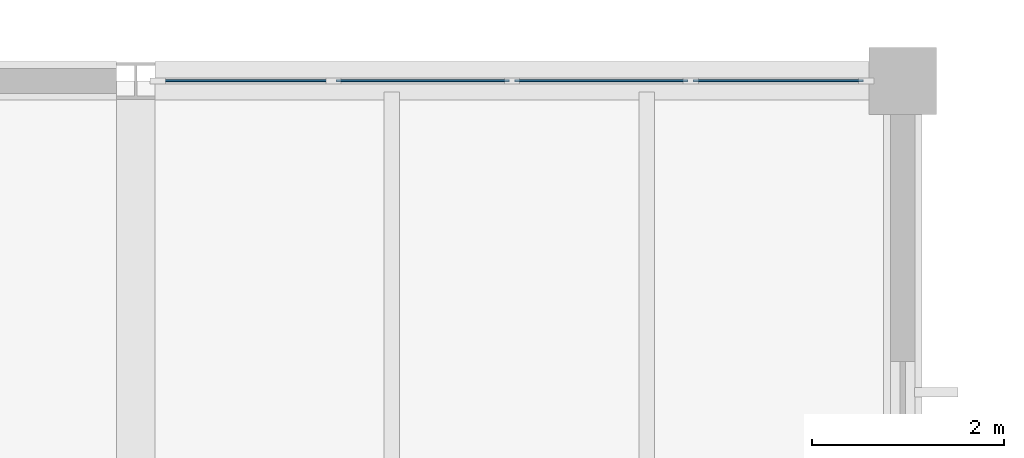
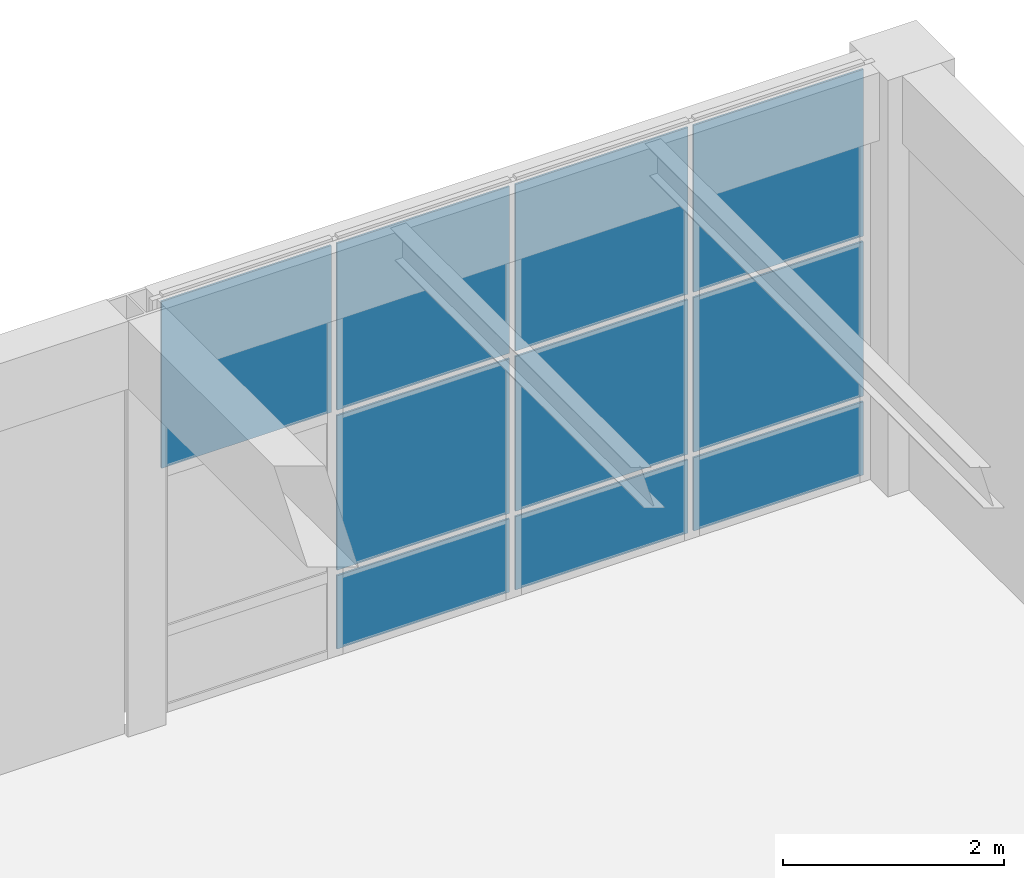
# One storey, part 39 of 60: 10 plates, 1 element without a shape of its own.
"""IFC4 building model written with IfcOpenShell, lengths in metres."""

from ifc_helpers import new_model, si_unit, direction, frame, origin, origin_2d, place, context, subcontext, project, spatial, rectangle, extrude, material, layer, layer_set, type_object, element, aggregate, save


model = new_model("IFC4")

# Units and contexts
model_context = context("Model", 3, precision=1e-05, world=origin(), true_north=direction((0.0, 1.0)))
body_context = subcontext(model_context, "Body", "Model", "MODEL_VIEW")
ifc_project = project(units=[si_unit("LENGTHUNIT", "METRE"), si_unit("AREAUNIT", "SQUARE_METRE"), si_unit("VOLUMEUNIT", "CUBIC_METRE"), si_unit("PLANEANGLEUNIT", "RADIAN"), si_unit("MASSUNIT", "GRAM", prefix="KILO")], contexts=[model_context])

# Site, building, storey
site_placement = place(None, origin())
site = spatial("IfcSite", under=ifc_project, at=site_placement, CompositionType="ELEMENT")
building_placement = place(site_placement, origin())
building = spatial("IfcBuilding", under=site, at=building_placement, Name="Varnela Railside Interchange", CompositionType="ELEMENT")
storey_placement = place(building_placement, frame((0.0, 0.0, 6.300048828125)))
storey = spatial("IfcBuildingStorey", under=building, at=storey_placement, Name="L01", CompositionType="ELEMENT", Elevation=6.300048828125)

# Curtain wall, plates
ifc_material_1 = material(Name="Aluminium 6063-T6", Category="aluminium")
ifc_layer_1 = layer(ifc_material_1, 0.035888671875)
ifc_layer_set_1 = layer_set([ifc_layer_1], Name="Aluminium 6063-T6")
curtain_wall_type = type_object("IfcCurtainWallType", Name="Study Pavilion Gallery Curtain Wall CW-02", PredefinedType="USERDEFINED", material=ifc_layer_set_1)
curtain_wall_placement = place(storey_placement, origin())
curtain_wall = element("IfcCurtainWall", 1, at=curtain_wall_placement, inside=storey, type_object=curtain_wall_type, Name="Curtain Wall CW-02 (L01) (CW-032)", ObjectType="CURTAIN WALL", PredefinedType="USERDEFINED")
ifc_material_2 = material(Name="Glass laminated double", Category="glass")
ifc_layer_2 = layer(ifc_material_2, 0.02001953125)
ifc_layer_set_2 = layer_set([ifc_layer_2], Name="Glass laminated double")
plate_type = type_object("IfcPlateType", Name="Low-E Vision Glazing Panel GL-01", PredefinedType="CURTAIN_PANEL", material=ifc_layer_set_2)
plate_1_placement = place(storey_placement, frame((133.145263671875, 94.0, 2.69775390625), z_axis=(0.0, 0.0, 1.0), x_axis=(1.0, 0.0, 0.0)))
plate_1 = element("IfcPlate", 2, at=plate_1_placement, type_object=plate_type, Name="CW-02 panel 1.3", PredefinedType="CURTAIN_PANEL", context=body_context, shape_type="SweptSolid", body=[
    extrude(rectangle(XDim=1.772705078125, YDim=0.02001953125, at=origin_2d()), origin(), (0.0, 0.0, 1.0), 1.842041015625),
])
plate_2_placement = place(storey_placement, frame((134.9931640625, 94.0, 0.059814453125), z_axis=(0.0, 0.0, 1.0), x_axis=(1.0, 0.0, 0.0)))
plate_2 = element("IfcPlate", 3, at=plate_2_placement, type_object=plate_type, Name="CW-02 panel 2.1", PredefinedType="CURTAIN_PANEL", context=body_context, shape_type="SweptSolid", body=[
    extrude(rectangle(XDim=1.802734375, YDim=0.02001953125, at=origin_2d()), origin(), (0.0, 0.0, 1.0), 0.81005859375),
])
plate_3_placement = place(storey_placement, frame((134.9931640625, 94.0, 0.929931640625), z_axis=(0.0, 0.0, 1.0), x_axis=(1.0, 0.0, 0.0)))
plate_3 = element("IfcPlate", 4, at=plate_3_placement, type_object=plate_type, Name="CW-02 panel 2.2", PredefinedType="CURTAIN_PANEL", context=body_context, shape_type="SweptSolid", body=[
    extrude(rectangle(XDim=1.802734375, YDim=0.02001953125, at=origin_2d()), origin(), (0.0, 0.0, 1.0), 1.7080078125),
])
plate_4_placement = place(storey_placement, frame((134.9931640625, 94.0, 2.69775390625), z_axis=(0.0, 0.0, 1.0), x_axis=(1.0, 0.0, 0.0)))
plate_4 = element("IfcPlate", 5, at=plate_4_placement, type_object=plate_type, Name="CW-02 panel 2.3", PredefinedType="CURTAIN_PANEL", context=body_context, shape_type="SweptSolid", body=[
    extrude(rectangle(XDim=1.802734375, YDim=0.02001953125, at=origin_2d()), origin(), (0.0, 0.0, 1.0), 1.842041015625),
])
plate_5_placement = place(storey_placement, frame((136.85595703125, 94.0, 0.059814453125), z_axis=(0.0, 0.0, 1.0), x_axis=(1.0, 0.0, 0.0)))
plate_5 = element("IfcPlate", 6, at=plate_5_placement, type_object=plate_type, Name="CW-02 panel 3.1", PredefinedType="CURTAIN_PANEL", context=body_context, shape_type="SweptSolid", body=[
    extrude(rectangle(XDim=1.802734375, YDim=0.02001953125, at=origin_2d()), origin(), (0.0, 0.0, 1.0), 0.81005859375),
])
plate_6_placement = place(storey_placement, frame((136.85595703125, 94.0, 0.929931640625), z_axis=(0.0, 0.0, 1.0), x_axis=(1.0, 0.0, 0.0)))
plate_6 = element("IfcPlate", 7, at=plate_6_placement, type_object=plate_type, Name="CW-02 panel 3.2", PredefinedType="CURTAIN_PANEL", context=body_context, shape_type="SweptSolid", body=[
    extrude(rectangle(XDim=1.802734375, YDim=0.02001953125, at=origin_2d()), origin(), (0.0, 0.0, 1.0), 1.7080078125),
])
plate_7_placement = place(storey_placement, frame((136.85595703125, 94.0, 2.69775390625), z_axis=(0.0, 0.0, 1.0), x_axis=(1.0, 0.0, 0.0)))
plate_7 = element("IfcPlate", 8, at=plate_7_placement, type_object=plate_type, Name="CW-02 panel 3.3", PredefinedType="CURTAIN_PANEL", context=body_context, shape_type="SweptSolid", body=[
    extrude(rectangle(XDim=1.802734375, YDim=0.02001953125, at=origin_2d()), origin(), (0.0, 0.0, 1.0), 1.842041015625),
])
plate_8_placement = place(storey_placement, frame((138.70361328125, 94.0, 0.059814453125), z_axis=(0.0, 0.0, 1.0), x_axis=(1.0, 0.0, 0.0)))
plate_8 = element("IfcPlate", 9, at=plate_8_placement, type_object=plate_type, Name="CW-02 panel 4.1", PredefinedType="CURTAIN_PANEL", context=body_context, shape_type="SweptSolid", body=[
    extrude(rectangle(XDim=1.772705078125, YDim=0.02001953125, at=origin_2d()), origin(), (0.0, 0.0, 1.0), 0.81005859375),
])
plate_9_placement = place(storey_placement, frame((138.70361328125, 94.0, 0.929931640625), z_axis=(0.0, 0.0, 1.0), x_axis=(1.0, 0.0, 0.0)))
plate_9 = element("IfcPlate", 10, at=plate_9_placement, type_object=plate_type, Name="CW-02 panel 4.2", PredefinedType="CURTAIN_PANEL", context=body_context, shape_type="SweptSolid", body=[
    extrude(rectangle(XDim=1.772705078125, YDim=0.02001953125, at=origin_2d()), origin(), (0.0, 0.0, 1.0), 1.7080078125),
])
plate_10_placement = place(storey_placement, frame((138.70361328125, 94.0, 2.69775390625), z_axis=(0.0, 0.0, 1.0), x_axis=(1.0, 0.0, 0.0)))
plate_10 = element("IfcPlate", 11, at=plate_10_placement, type_object=plate_type, Name="CW-02 panel 4.3", PredefinedType="CURTAIN_PANEL", context=body_context, shape_type="SweptSolid", body=[
    extrude(rectangle(XDim=1.772705078125, YDim=0.02001953125, at=origin_2d()), origin(), (0.0, 0.0, 1.0), 1.842041015625),
])
aggregate(curtain_wall, [plate_1, plate_2, plate_3, plate_4, plate_5, plate_6, plate_7, plate_8, plate_9, plate_10])

save(model, "model.ifc")
